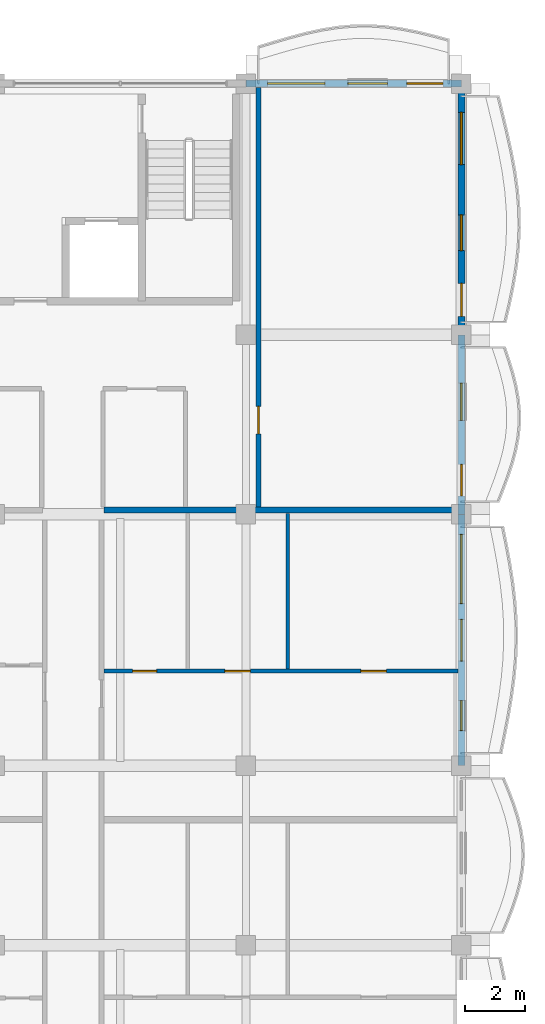
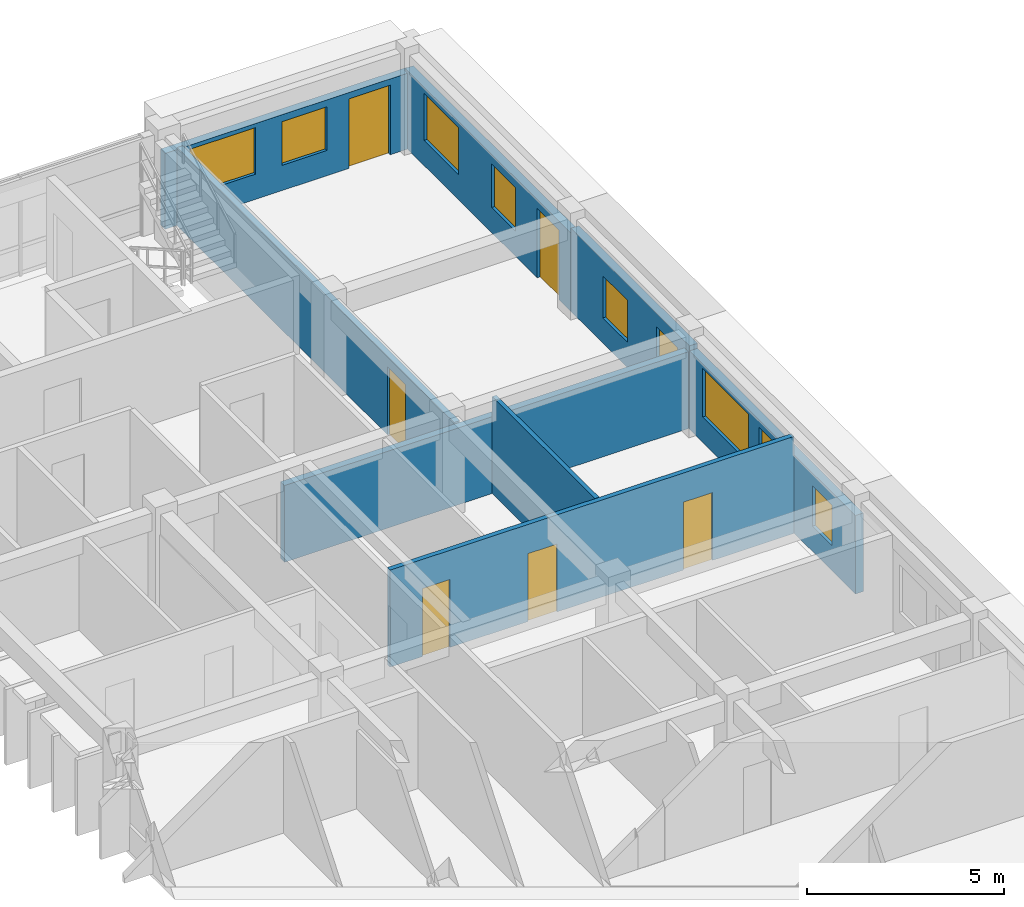
# One storey, part 66 of 101: 8 doors, 8 walls, 7 windows, 15 openings.
"""IFC4 building model written with IfcOpenShell, lengths in metres."""

from ifc_helpers import new_model, si_unit, direction, frame, frame_2d, origin, place, context, subcontext, project, spatial, rectangle, extrude, material, layer, layer_set, type_object, element, fill, save


model = new_model("IFC4")

# Units and contexts
model_context = context("Model", 3, precision=1e-05, world=origin(), true_north=direction((0.0, 1.0)))
body_context = subcontext(model_context, "Body", "Model", "MODEL_VIEW")
ifc_project = project(units=[si_unit("LENGTHUNIT", "METRE"), si_unit("AREAUNIT", "SQUARE_METRE"), si_unit("VOLUMEUNIT", "CUBIC_METRE"), si_unit("PLANEANGLEUNIT", "RADIAN"), si_unit("MASSUNIT", "GRAM", prefix="KILO"), si_unit("THERMODYNAMICTEMPERATUREUNIT", "KELVIN")], contexts=[model_context])

# Site, building, storey
site_placement = place(None, origin())
site = spatial("IfcSite", under=ifc_project, at=site_placement, CompositionType="ELEMENT")
building_placement = place(site_placement, origin())
building = spatial("IfcBuilding", under=site, at=building_placement, Name="Thalorik Housing Commons", CompositionType="ELEMENT")
storey_placement = place(building_placement, frame((0.0, 0.0, 8.10009765625)))
storey = spatial("IfcBuildingStorey", under=building, at=storey_placement, Name="L02", CompositionType="ELEMENT", Elevation=8.10009765625)

# Wall, opening, door
ifc_material_1 = material(Name="Masonry fire-rated corridor wall", Category="masonry")
ifc_layer_1 = layer(ifc_material_1, 0.1650390625, Name="Masonry fire-rated corridor wall", Category="masonry")
ifc_layer_set_1 = layer_set([ifc_layer_1], Name="Masonry fire-rated corridor wall")
wall_type_1 = type_object("IfcWallType", Name="ARC-WAL-CORR-165", PredefinedType="PARTITIONING", material=ifc_layer_set_1)
wall_1_placement = place(storey_placement, frame((167.219970703125, 109.44189453125, 0.0), z_axis=(0.0, 0.0, 1.0), x_axis=(0.0, 1.0, 0.0)))
wall_1 = element("IfcWall", 1, at=wall_1_placement, inside=storey, type_object=wall_type_1, Name="L02 Block B East Studio Wall", PredefinedType="PARTITIONING", context=body_context, shape_type="SweptSolid", body=[
    extrude(rectangle(XDim=14.01806640625, YDim=0.1650390625, at=frame_2d((7.009033203125, 0.0))), origin(), (0.0, 0.0, 1.0), 2.4248046875),
])
opening_1_placement = place(wall_1_placement, frame((2.447998046875, 0.0, 0.0)))
opening_1 = element("IfcOpeningElement", 2, at=opening_1_placement, cuts=wall_1, Name="Opening ID-1049", PredefinedType="OPENING", context=body_context, shape_type="SweptSolid", body=[
    extrude(rectangle(XDim=0.919921875, YDim=2.10009765625, at=frame_2d((0.4599609375, 1.050048828125))), frame((0.0, 0.092529296875, 0.0), z_axis=(0.0, -1.0, 0.0), x_axis=(1.0, 0.0, 0.0)), (0.0, 0.0, 1.0), 0.18505859375),
])
ifc_material_2 = material(Name="Solid core hardwood timber", Category="wood")
door_type_1 = type_object("IfcDoorType", Name="ARC-DR-FD30-920", OperationType="NOTDEFINED", PredefinedType="DOOR", material=ifc_material_2)
door_1_placement = place(opening_1_placement, origin())
door_1 = element("IfcDoor", 3, at=door_1_placement, inside=storey, type_object=door_type_1, Name="L02 Block B East Room Door", OperationType="SINGLE_SWING_RIGHT", OverallHeight=2.10009765625, OverallWidth=0.919921875, PredefinedType="DOOR", context=body_context, shape_type="SweptSolid", body=[
    extrude(rectangle(XDim=0.919921875, YDim=2.10009765625, at=frame_2d((0.4599609375, 1.050048828125))), frame((0.0, 0.02490234375, 0.0), z_axis=(0.0, -1.0, 0.0), x_axis=(1.0, 0.0, 0.0)), (0.0, 0.0, 1.0), 0.050048828125),
])
fill(opening_1, door_1)

# Wall, openings, door, window
ifc_material_3 = material(Name="White precast concrete C40/50", Category="concrete")
ifc_layer_2 = layer(ifc_material_3, 0.235107421875, Name="White precast concrete C40/50", Category="concrete")
ifc_layer_set_2 = layer_set([ifc_layer_2], Name="White precast concrete C40/50")
wall_type_2 = type_object("IfcWallType", Name="ARC-WAL-EXT-235", PredefinedType="STANDARD", material=ifc_layer_set_2)
wall_2_placement = place(storey_placement, frame((174.0, 109.199951171875, 0.0), z_axis=(0.0, 0.0, 1.0), x_axis=(0.0, 1.0, 0.0)))
wall_2 = element("IfcWall", 4, at=wall_2_placement, inside=storey, type_object=wall_type_2, Name="L02 Exterior Wall WAL-EXT-L02-B-0445", PredefinedType="STANDARD", context=body_context, shape_type="SweptSolid", body=[
    extrude(rectangle(XDim=6.0, YDim=0.235107421875, at=frame_2d((3.0, 0.0))), origin(), (0.0, 0.0, 1.0), 2.574951171875),
])
opening_2_placement = place(wall_2_placement, frame((0.6201171875, 0.0, 0.0)))
opening_2 = element("IfcOpeningElement", 5, at=opening_2_placement, cuts=wall_2, Name="Opening ED-0123", PredefinedType="OPENING", context=body_context, shape_type="SweptSolid", body=[
    extrude(rectangle(XDim=1.050048828125, YDim=2.14990234375, at=frame_2d((0.52490234375, 1.074951171875))), frame((0.0, 0.12744140625, 0.0), z_axis=(0.0, -1.0, 0.0), x_axis=(1.0, 0.0, 0.0)), (0.0, 0.0, 1.0), 0.255126953125),
])
opening_3_placement = place(wall_2_placement, frame((3.139892578125, 0.0, 0.780029296875)))
opening_3 = element("IfcOpeningElement", 6, at=opening_3_placement, cuts=wall_2, Name="Opening W-46", PredefinedType="OPENING", context=body_context, shape_type="SweptSolid", body=[
    extrude(rectangle(XDim=1.25, YDim=1.300048828125, at=frame_2d((0.625, 0.64990234375))), frame((0.0, 0.12744140625, 0.0), z_axis=(0.0, -1.0, 0.0), x_axis=(1.0, 0.0, 0.0)), (0.0, 0.0, 1.0), 0.255126953125),
])
ifc_material_4 = material(Name="Anodised aluminium and laminated safety glass", Category="aluminium")
door_type_2 = type_object("IfcDoorType", Name="ARC-DR-BAL-1050", OperationType="NOTDEFINED", PredefinedType="DOOR", material=ifc_material_4)
door_2_placement = place(opening_2_placement, frame((1.050048828125, 0.0, 0.0), z_axis=(0.0, 0.0, 1.0), x_axis=(-1.0, 0.0, 0.0)))
door_2 = element("IfcDoor", 7, at=door_2_placement, inside=storey, type_object=door_type_2, Name="L02 Block B Balcony Glazed Door", OperationType="SINGLE_SWING_RIGHT", OverallHeight=2.14990234375, OverallWidth=1.050048828125, PredefinedType="DOOR", context=body_context, shape_type="SweptSolid", body=[
    extrude(rectangle(XDim=1.050048828125, YDim=2.14990234375, at=frame_2d((0.52490234375, 1.074951171875))), frame((0.0, 0.02490234375, 0.0), z_axis=(0.0, -1.0, 0.0), x_axis=(1.0, 0.0, 0.0)), (0.0, 0.0, 1.0), 0.050048828125),
])
fill(opening_2, door_2)
ifc_material_5 = material(Name="Anodised aluminium and solar-control low-E glass", Category="aluminium")
window_type_1 = type_object("IfcWindowType", Name="ARC-WIN-46", PartitioningType="SINGLE_PANEL", PredefinedType="WINDOW", material=ifc_material_5)
window_1_placement = place(opening_3_placement, origin())
window_1 = element("IfcWindow", 8, at=window_1_placement, inside=storey, type_object=window_type_1, Name="L02 Facade Window 793", OverallHeight=1.300048828125, OverallWidth=1.25, PartitioningType="SINGLE_PANEL", PredefinedType="WINDOW", context=body_context, shape_type="SweptSolid", body=[
    extrude(rectangle(XDim=1.25, YDim=1.300048828125, at=frame_2d((0.625, 0.64990234375))), frame((0.0, 0.030029296875, 0.0), z_axis=(0.0, -1.0, 0.0), x_axis=(1.0, 0.0, 0.0)), (0.0, 0.0, 1.0), 0.06005859375),
])
fill(opening_3, window_1)

# Wall, openings, door, windows
wall_3_placement = place(storey_placement, frame((174.0, 115.199951171875, 0.0), z_axis=(0.0, 0.0, 1.0), x_axis=(0.0, 1.0, 0.0)))
wall_3 = element("IfcWall", 9, at=wall_3_placement, inside=storey, type_object=wall_type_2, Name="L02 Exterior Wall WAL-EXT-L02-B-0446", PredefinedType="STANDARD", context=body_context, shape_type="SweptSolid", body=[
    extrude(rectangle(XDim=8.400146484375, YDim=0.235107421875, at=frame_2d((4.2001953125, 0.0))), origin(), (0.0, 0.0, 1.0), 2.4248046875),
])
opening_4_placement = place(wall_3_placement, frame((0.6201171875, 0.0, 0.0)))
opening_4 = element("IfcOpeningElement", 10, at=opening_4_placement, cuts=wall_3, Name="Opening ED-0124", PredefinedType="OPENING", context=body_context, shape_type="SweptSolid", body=[
    extrude(rectangle(XDim=1.10009765625, YDim=2.14990234375, at=frame_2d((0.550048828125, 1.074951171875))), frame((0.0, 0.12744140625, 0.0), z_axis=(0.0, -1.0, 0.0), x_axis=(1.0, 0.0, 0.0)), (0.0, 0.0, 1.0), 0.255126953125),
])
opening_5_placement = place(wall_3_placement, frame((2.81494140625, 0.0, 0.780029296875)))
opening_5 = element("IfcOpeningElement", 11, at=opening_5_placement, cuts=wall_3, Name="Opening W-04", PredefinedType="OPENING", context=body_context, shape_type="SweptSolid", body=[
    extrude(rectangle(XDim=1.199951171875, YDim=1.35009765625, at=frame_2d((0.60009765625, 0.675048828125))), frame((0.0, 0.12744140625, 0.0), z_axis=(0.0, -1.0, 0.0), x_axis=(1.0, 0.0, 0.0)), (0.0, 0.0, 1.0), 0.255126953125),
])
opening_6_placement = place(wall_3_placement, frame((5.68994140625, 0.0, 0.780029296875)))
opening_6 = element("IfcOpeningElement", 12, at=opening_6_placement, cuts=wall_3, Name="Opening W-17", PredefinedType="OPENING", context=body_context, shape_type="SweptSolid", body=[
    extrude(rectangle(XDim=1.75, YDim=1.449951171875, at=frame_2d((0.875, 0.72509765625))), frame((0.0, 0.12744140625, 0.0), z_axis=(0.0, -1.0, 0.0), x_axis=(1.0, 0.0, 0.0)), (0.0, 0.0, 1.0), 0.255126953125),
])
door_type_3 = type_object("IfcDoorType", Name="ARC-DR-BAL-1100", OperationType="NOTDEFINED", PredefinedType="DOOR", material=ifc_material_4)
door_3_placement = place(opening_4_placement, frame((1.10009765625, 0.0, 0.0), z_axis=(0.0, 0.0, 1.0), x_axis=(-1.0, 0.0, 0.0)))
door_3 = element("IfcDoor", 13, at=door_3_placement, inside=storey, type_object=door_type_3, Name="L02 Block B Balcony Glazed Door", OperationType="SINGLE_SWING_LEFT", OverallHeight=2.14990234375, OverallWidth=1.10009765625, PredefinedType="DOOR", context=body_context, shape_type="SweptSolid", body=[
    extrude(rectangle(XDim=1.10009765625, YDim=2.14990234375, at=frame_2d((0.550048828125, 1.074951171875))), frame((0.0, 0.02490234375, 0.0), z_axis=(0.0, -1.0, 0.0), x_axis=(1.0, 0.0, 0.0)), (0.0, 0.0, 1.0), 0.050048828125),
])
fill(opening_4, door_3)
window_type_2 = type_object("IfcWindowType", Name="ARC-WIN-04", PartitioningType="SINGLE_PANEL", PredefinedType="WINDOW", material=ifc_material_5)
window_2_placement = place(opening_5_placement, origin())
window_2 = element("IfcWindow", 14, at=window_2_placement, inside=storey, type_object=window_type_2, Name="L02 Facade Window 794", OverallHeight=1.35009765625, OverallWidth=1.199951171875, PartitioningType="SINGLE_PANEL", PredefinedType="WINDOW", context=body_context, shape_type="SweptSolid", body=[
    extrude(rectangle(XDim=1.199951171875, YDim=1.35009765625, at=frame_2d((0.60009765625, 0.675048828125))), frame((0.0, 0.030029296875, 0.0), z_axis=(0.0, -1.0, 0.0), x_axis=(1.0, 0.0, 0.0)), (0.0, 0.0, 1.0), 0.06005859375),
])
fill(opening_5, window_2)
window_type_3 = type_object("IfcWindowType", Name="ARC-WIN-17", PartitioningType="DOUBLE_PANEL_VERTICAL", PredefinedType="WINDOW", material=ifc_material_5)
window_3_placement = place(opening_6_placement, origin())
window_3 = element("IfcWindow", 15, at=window_3_placement, inside=storey, type_object=window_type_3, Name="L02 Facade Window 795", OverallHeight=1.449951171875, OverallWidth=1.75, PartitioningType="DOUBLE_PANEL_VERTICAL", PredefinedType="WINDOW", context=body_context, shape_type="SweptSolid", body=[
    extrude(rectangle(XDim=1.75, YDim=1.449951171875, at=frame_2d((0.875, 0.72509765625))), frame((0.0, 0.030029296875, 0.0), z_axis=(0.0, -1.0, 0.0), x_axis=(1.0, 0.0, 0.0)), (0.0, 0.0, 1.0), 0.06005859375),
])
fill(opening_6, window_3)

wall_4_placement = place(storey_placement, frame((174.0, 123.60009765625, 0.0), z_axis=(0.0, 0.0, 1.0), x_axis=(-1.0, 0.0, 0.0)))
wall_4 = element("IfcWall", 16, at=wall_4_placement, inside=storey, type_object=wall_type_2, Name="L02 Exterior Wall WAL-EXT-L02-B-0447", PredefinedType="STANDARD", context=body_context, shape_type="SweptSolid", body=[
    extrude(rectangle(XDim=7.199951171875, YDim=0.235107421875, at=frame_2d((3.60009765625, 0.0))), origin(), (0.0, 0.0, 1.0), 2.344970703125),
])
opening_7_placement = place(wall_4_placement, frame((0.6201171875, 0.0, 0.0)))
opening_7 = element("IfcOpeningElement", 17, at=opening_7_placement, cuts=wall_4, Name="Opening ED-0125", PredefinedType="OPENING", context=body_context, shape_type="SweptSolid", body=[
    extrude(rectangle(XDim=1.199951171875, YDim=2.14990234375, at=frame_2d((0.60009765625, 1.074951171875))), frame((0.0, 0.12744140625, 0.0), z_axis=(0.0, -1.0, 0.0), x_axis=(1.0, 0.0, 0.0)), (0.0, 0.0, 1.0), 0.255126953125),
])
opening_8_placement = place(wall_4_placement, frame((2.472412109375, 0.0, 0.780029296875)))
opening_8 = element("IfcOpeningElement", 18, at=opening_8_placement, cuts=wall_4, Name="Opening W-48", PredefinedType="OPENING", context=body_context, shape_type="SweptSolid", body=[
    extrude(rectangle(XDim=1.320068359375, YDim=1.35009765625, at=frame_2d((0.66015625, 0.675048828125))), frame((0.0, 0.12744140625, 0.0), z_axis=(0.0, -1.0, 0.0), x_axis=(1.0, 0.0, 0.0)), (0.0, 0.0, 1.0), 0.255126953125),
])
opening_9_placement = place(wall_4_placement, frame((4.5576171875, 0.0, 0.780029296875)))
opening_9 = element("IfcOpeningElement", 19, at=opening_9_placement, cuts=wall_4, Name="Opening W-60", PredefinedType="OPENING", context=body_context, shape_type="SweptSolid", body=[
    extrude(rectangle(XDim=1.919921875, YDim=1.43994140625, at=frame_2d((0.9599609375, 0.719970703125))), frame((0.0, 0.12744140625, 0.0), z_axis=(0.0, -1.0, 0.0), x_axis=(1.0, 0.0, 0.0)), (0.0, 0.0, 1.0), 0.255126953125),
])
door_type_4 = type_object("IfcDoorType", Name="ARC-DR-BAL-1200", OperationType="NOTDEFINED", PredefinedType="DOOR", material=ifc_material_4)
door_4_placement = place(opening_7_placement, frame((1.199951171875, 0.0, 0.0), z_axis=(0.0, 0.0, 1.0), x_axis=(-1.0, 0.0, 0.0)))
door_4 = element("IfcDoor", 20, at=door_4_placement, inside=storey, type_object=door_type_4, Name="L02 Block B Balcony Glazed Door", OperationType="SINGLE_SWING_RIGHT", OverallHeight=2.14990234375, OverallWidth=1.199951171875, PredefinedType="DOOR", context=body_context, shape_type="SweptSolid", body=[
    extrude(rectangle(XDim=1.199951171875, YDim=2.14990234375, at=frame_2d((0.60009765625, 1.074951171875))), frame((0.0, 0.02490234375, 0.0), z_axis=(0.0, -1.0, 0.0), x_axis=(1.0, 0.0, 0.0)), (0.0, 0.0, 1.0), 0.050048828125),
])
fill(opening_7, door_4)
window_type_4 = type_object("IfcWindowType", Name="ARC-WIN-48", PartitioningType="SINGLE_PANEL", PredefinedType="WINDOW", material=ifc_material_5)
window_4_placement = place(opening_8_placement, origin())
window_4 = element("IfcWindow", 21, at=window_4_placement, inside=storey, type_object=window_type_4, Name="L02 Facade Window 796", OverallHeight=1.35009765625, OverallWidth=1.320068359375, PartitioningType="SINGLE_PANEL", PredefinedType="WINDOW", context=body_context, shape_type="SweptSolid", body=[
    extrude(rectangle(XDim=1.320068359375, YDim=1.35009765625, at=frame_2d((0.66015625, 0.675048828125))), frame((0.0, 0.030029296875, 0.0), z_axis=(0.0, -1.0, 0.0), x_axis=(1.0, 0.0, 0.0)), (0.0, 0.0, 1.0), 0.06005859375),
])
fill(opening_8, window_4)
window_type_5 = type_object("IfcWindowType", Name="ARC-WIN-60", PartitioningType="DOUBLE_PANEL_VERTICAL", PredefinedType="WINDOW", material=ifc_material_5)
window_5_placement = place(opening_9_placement, origin())
window_5 = element("IfcWindow", 22, at=window_5_placement, inside=storey, type_object=window_type_5, Name="L02 Facade Window 797", OverallHeight=1.43994140625, OverallWidth=1.919921875, PartitioningType="DOUBLE_PANEL_VERTICAL", PredefinedType="WINDOW", context=body_context, shape_type="SweptSolid", body=[
    extrude(rectangle(XDim=1.919921875, YDim=1.43994140625, at=frame_2d((0.9599609375, 0.719970703125))), frame((0.0, 0.030029296875, 0.0), z_axis=(0.0, -1.0, 0.0), x_axis=(1.0, 0.0, 0.0)), (0.0, 0.0, 1.0), 0.06005859375),
])
fill(opening_9, window_5)

wall_5_placement = place(storey_placement, frame((174.0, 100.800048828125, 0.0), z_axis=(0.0, 0.0, 1.0), x_axis=(0.0, 1.0, 0.0)))
wall_5 = element("IfcWall", 23, at=wall_5_placement, inside=storey, type_object=wall_type_2, Name="L02 Exterior Wall WAL-EXT-L02-B-0482", PredefinedType="STANDARD", context=body_context, shape_type="SweptSolid", body=[
    extrude(rectangle(XDim=8.39990234375, YDim=0.235107421875, at=frame_2d((4.199951171875, 0.0))), origin(), (0.0, 0.0, 1.0), 2.4248046875),
])
opening_10_placement = place(wall_5_placement, frame((3.4931640625, 0.0, 0.0)))
opening_10 = element("IfcOpeningElement", 24, at=opening_10_placement, cuts=wall_5, Name="Opening ED-0139", PredefinedType="OPENING", context=body_context, shape_type="SweptSolid", body=[
    extrude(rectangle(XDim=1.39990234375, YDim=2.199951171875, at=frame_2d((0.699951171875, 1.10009765625))), frame((0.0, 0.12744140625, 0.0), z_axis=(0.0, -1.0, 0.0), x_axis=(1.0, 0.0, 0.0)), (0.0, 0.0, 1.0), 0.255126953125),
])
opening_11_placement = place(wall_5_placement, frame((1.176513671875, 0.0, 0.780029296875)))
opening_11 = element("IfcOpeningElement", 25, at=opening_11_placement, cuts=wall_5, Name="Opening W-02", PredefinedType="OPENING", context=body_context, shape_type="SweptSolid", body=[
    extrude(rectangle(XDim=1.0, YDim=1.25, at=frame_2d((0.5, 0.625))), frame((0.0, 0.12744140625, 0.0), z_axis=(0.0, -1.0, 0.0), x_axis=(1.0, 0.0, 0.0)), (0.0, 0.0, 1.0), 0.255126953125),
])
opening_12_placement = place(wall_5_placement, frame((5.41650390625, 0.0, 0.780029296875)))
opening_12 = element("IfcOpeningElement", 26, at=opening_12_placement, cuts=wall_5, Name="Opening W-68", PredefinedType="OPENING", context=body_context, shape_type="SweptSolid", body=[
    extrude(rectangle(XDim=2.320068359375, YDim=1.5, at=frame_2d((1.16015625, 0.75))), frame((0.0, 0.12744140625, 0.0), z_axis=(0.0, -1.0, 0.0), x_axis=(1.0, 0.0, 0.0)), (0.0, 0.0, 1.0), 0.255126953125),
])
door_type_5 = type_object("IfcDoorType", Name="ARC-DR-BAL-1400", OperationType="NOTDEFINED", PredefinedType="DOOR", material=ifc_material_4)
door_5_placement = place(opening_10_placement, frame((1.39990234375, 0.0, 0.0), z_axis=(0.0, 0.0, 1.0), x_axis=(-1.0, 0.0, 0.0)))
door_5 = element("IfcDoor", 27, at=door_5_placement, inside=storey, type_object=door_type_5, Name="L02 Block B Balcony Glazed Door", OperationType="SLIDING_TO_LEFT", OverallHeight=2.199951171875, OverallWidth=1.39990234375, PredefinedType="DOOR", context=body_context, shape_type="SweptSolid", body=[
    extrude(rectangle(XDim=1.39990234375, YDim=2.199951171875, at=frame_2d((0.699951171875, 1.10009765625))), frame((0.0, 0.02490234375, 0.0), z_axis=(0.0, -1.0, 0.0), x_axis=(1.0, 0.0, 0.0)), (0.0, 0.0, 1.0), 0.050048828125),
])
fill(opening_10, door_5)
window_type_6 = type_object("IfcWindowType", Name="ARC-WIN-02", PartitioningType="SINGLE_PANEL", PredefinedType="WINDOW", material=ifc_material_5)
window_6_placement = place(opening_11_placement, origin())
window_6 = element("IfcWindow", 28, at=window_6_placement, inside=storey, type_object=window_type_6, Name="L02 Facade Window 869", OverallHeight=1.25, OverallWidth=1.0, PartitioningType="SINGLE_PANEL", PredefinedType="WINDOW", context=body_context, shape_type="SweptSolid", body=[
    extrude(rectangle(XDim=1.0, YDim=1.25, at=frame_2d((0.5, 0.625))), frame((0.0, 0.030029296875, 0.0), z_axis=(0.0, -1.0, 0.0), x_axis=(1.0, 0.0, 0.0)), (0.0, 0.0, 1.0), 0.06005859375),
])
fill(opening_11, window_6)
window_type_7 = type_object("IfcWindowType", Name="ARC-WIN-68", PartitioningType="DOUBLE_PANEL_VERTICAL", PredefinedType="WINDOW", material=ifc_material_5)
window_7_placement = place(opening_12_placement, origin())
window_7 = element("IfcWindow", 29, at=window_7_placement, inside=storey, type_object=window_type_7, Name="L02 Facade Window 870", OverallHeight=1.5, OverallWidth=2.320068359375, PartitioningType="DOUBLE_PANEL_VERTICAL", PredefinedType="WINDOW", context=body_context, shape_type="SweptSolid", body=[
    extrude(rectangle(XDim=2.320068359375, YDim=1.5, at=frame_2d((1.16015625, 0.75))), frame((0.0, 0.030029296875, 0.0), z_axis=(0.0, -1.0, 0.0), x_axis=(1.0, 0.0, 0.0)), (0.0, 0.0, 1.0), 0.06005859375),
])
fill(opening_12, window_7)

# Wall
ifc_material_6 = material(Name="Gypsum acoustic stud partition", Category="masonry")
ifc_layer_3 = layer(ifc_material_6, 0.125, Name="Gypsum acoustic stud partition", Category="masonry")
ifc_layer_set_3 = layer_set([ifc_layer_3], Name="Gypsum acoustic stud partition")
wall_type_3 = type_object("IfcWallType", Name="ARC-WAL-PART-125", PredefinedType="PARTITIONING", material=ifc_layer_set_3)
wall_6_placement = place(storey_placement, frame((168.19921875, 104.03515625, 0.0), z_axis=(0.0, 0.0, 1.0), x_axis=(0.0, 1.0, 0.0)))
element("IfcWall", 30, at=wall_6_placement, inside=storey, type_object=wall_type_3, Name="L02 Unit 3B Bedroom Partition", PredefinedType="PARTITIONING", context=body_context, shape_type="SweptSolid", body=[
    extrude(rectangle(XDim=5.202880859375, YDim=0.125, at=frame_2d((2.6015625, 0.0))), origin(), (0.0, 0.0, 1.0), 3.0),
])

# Wall, openings, doors
ifc_material_7 = material(Name="Ceramic masonry partition wall", Category="masonry")
ifc_layer_4 = layer(ifc_material_7, 0.139892578125, Name="Ceramic masonry partition wall", Category="masonry")
ifc_layer_set_4 = layer_set([ifc_layer_4], Name="Ceramic masonry partition wall")
wall_type_4 = type_object("IfcWallType", Name="ARC-WAL-PART-140", PredefinedType="PARTITIONING", material=ifc_layer_set_4)
wall_7_placement = place(storey_placement, frame((162.064453125, 103.963134765625, 0.0), z_axis=(0.0, 0.0, 1.0), x_axis=(1.0, 0.0, 0.0)))
wall_7 = element("IfcWall", 31, at=wall_7_placement, inside=storey, type_object=wall_type_4, Name="L02 Unit 3B Spine Partition", PredefinedType="PARTITIONING", context=body_context, shape_type="SweptSolid", body=[
    extrude(rectangle(XDim=11.816162109375, YDim=0.139892578125, at=frame_2d((5.908203125, 0.0))), origin(), (0.0, 0.0, 1.0), 3.0),
])
opening_13_placement = place(wall_7_placement, frame((0.95068359375, 0.0, 0.0)))
opening_13 = element("IfcOpeningElement", 32, at=opening_13_placement, cuts=wall_7, Name="Opening ID-1065", PredefinedType="OPENING", context=body_context, shape_type="SweptSolid", body=[
    extrude(rectangle(XDim=0.800048828125, YDim=2.10009765625, at=frame_2d((0.39990234375, 1.050048828125))), frame((0.0, 0.080078125, 0.0), z_axis=(0.0, -1.0, 0.0), x_axis=(1.0, 0.0, 0.0)), (0.0, 0.0, 1.0), 0.159912109375),
])
opening_14_placement = place(wall_7_placement, frame((4.035400390625, 0.0, 0.0)))
opening_14 = element("IfcOpeningElement", 33, at=opening_14_placement, cuts=wall_7, Name="Opening ID-1066", PredefinedType="OPENING", context=body_context, shape_type="SweptSolid", body=[
    extrude(rectangle(XDim=0.85009765625, YDim=2.10009765625, at=frame_2d((0.425048828125, 1.050048828125))), frame((0.0, 0.080078125, 0.0), z_axis=(0.0, -1.0, 0.0), x_axis=(1.0, 0.0, 0.0)), (0.0, 0.0, 1.0), 0.159912109375),
])
opening_15_placement = place(wall_7_placement, frame((8.580078125, 0.0, 0.0)))
opening_15 = element("IfcOpeningElement", 34, at=opening_15_placement, cuts=wall_7, Name="Opening ID-1067", PredefinedType="OPENING", context=body_context, shape_type="SweptSolid", body=[
    extrude(rectangle(XDim=0.85009765625, YDim=2.10009765625, at=frame_2d((0.425048828125, 1.050048828125))), frame((0.0, 0.080078125, 0.0), z_axis=(0.0, -1.0, 0.0), x_axis=(1.0, 0.0, 0.0)), (0.0, 0.0, 1.0), 0.159912109375),
])
ifc_material_8 = material(Name="Moisture-resistant timber", Category="wood")
door_type_6 = type_object("IfcDoorType", Name="ARC-DR-INT-800", OperationType="NOTDEFINED", PredefinedType="DOOR", material=ifc_material_8)
door_6_placement = place(opening_13_placement, origin())
door_6 = element("IfcDoor", 35, at=door_6_placement, inside=storey, type_object=door_type_6, Name="L02 Flat Bathroom Door", OperationType="SINGLE_SWING_RIGHT", OverallHeight=2.10009765625, OverallWidth=0.800048828125, PredefinedType="DOOR", context=body_context, shape_type="SweptSolid", body=[
    extrude(rectangle(XDim=0.800048828125, YDim=2.10009765625, at=frame_2d((0.39990234375, 1.050048828125))), frame((0.0, 0.02490234375, 0.0), z_axis=(0.0, -1.0, 0.0), x_axis=(1.0, 0.0, 0.0)), (0.0, 0.0, 1.0), 0.050048828125),
])
fill(opening_13, door_6)
ifc_material_9 = material(Name="Engineered oak timber", Category="wood")
door_type_7 = type_object("IfcDoorType", Name="ARC-DR-INT-850", OperationType="NOTDEFINED", PredefinedType="DOOR", material=ifc_material_9)
door_7_placement = place(opening_14_placement, origin())
door_7 = element("IfcDoor", 36, at=door_7_placement, inside=storey, type_object=door_type_7, Name="L02 Galley Kitchen Door", OperationType="SINGLE_SWING_LEFT", OverallHeight=2.10009765625, OverallWidth=0.85009765625, PredefinedType="DOOR", context=body_context, shape_type="SweptSolid", body=[
    extrude(rectangle(XDim=0.85009765625, YDim=2.10009765625, at=frame_2d((0.425048828125, 1.050048828125))), frame((0.0, 0.02490234375, 0.0), z_axis=(0.0, -1.0, 0.0), x_axis=(1.0, 0.0, 0.0)), (0.0, 0.0, 1.0), 0.050048828125),
])
fill(opening_14, door_7)
door_8_placement = place(opening_15_placement, origin())
door_8 = element("IfcDoor", 37, at=door_8_placement, inside=storey, type_object=door_type_7, Name="L02 Single Bedroom Door", OperationType="SINGLE_SWING_RIGHT", OverallHeight=2.10009765625, OverallWidth=0.85009765625, PredefinedType="DOOR", context=body_context, shape_type="SweptSolid", body=[
    extrude(rectangle(XDim=0.85009765625, YDim=2.10009765625, at=frame_2d((0.425048828125, 1.050048828125))), frame((0.0, 0.02490234375, 0.0), z_axis=(0.0, -1.0, 0.0), x_axis=(1.0, 0.0, 0.0)), (0.0, 0.0, 1.0), 0.050048828125),
])
fill(opening_15, door_8)

# Wall
ifc_material_10 = material(Name="Precast concrete C40/50 acoustic wall", Category="concrete")
ifc_layer_5 = layer(ifc_material_10, 0.199951171875, Name="Precast concrete C40/50 acoustic wall", Category="concrete")
ifc_layer_set_5 = layer_set([ifc_layer_5], Name="Precast concrete C40/50 acoustic wall")
wall_type_5 = type_object("IfcWallType", Name="ARC-WAL-PARTY-200", PredefinedType="PARTITIONING", material=ifc_layer_set_5)
wall_8_placement = place(storey_placement, frame((162.064453125, 109.340087890625, 0.0), z_axis=(0.0, 0.0, 1.0), x_axis=(1.0, 0.0, 0.0)))
element("IfcWall", 38, at=wall_8_placement, inside=storey, type_object=wall_type_5, Name="L02 Core End Wall B", PredefinedType="PARTITIONING", context=body_context, shape_type="SweptSolid", body=[
    extrude(rectangle(XDim=11.816162109375, YDim=0.199951171875, at=frame_2d((5.908203125, 0.0))), origin(), (0.0, 0.0, 1.0), 2.375),
])

save(model, "model.ifc")
